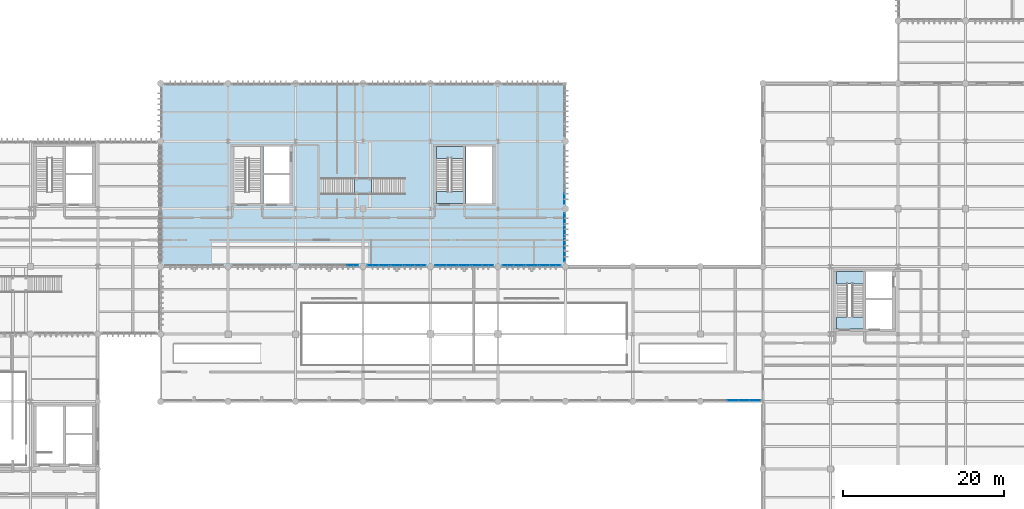
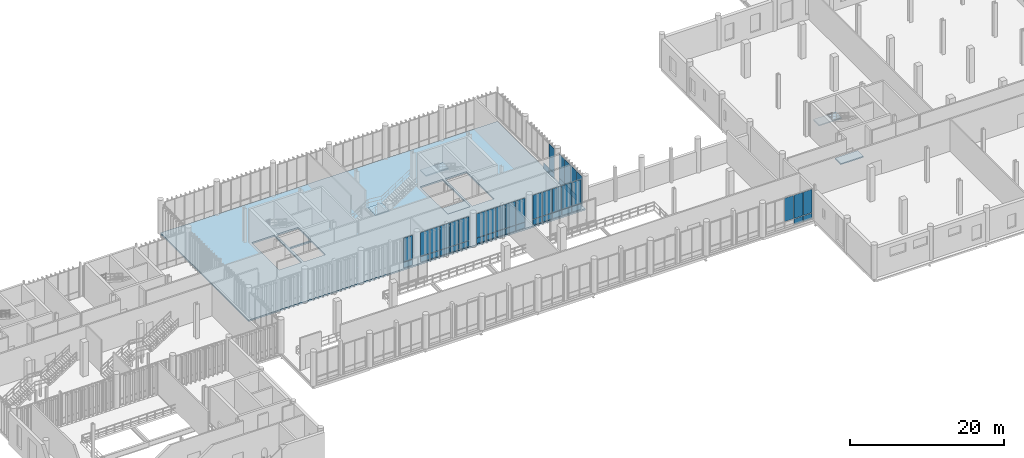
# One storey, part 99 of 128: 48 plates, 6 slabs, 10 elements without a shape of their own.
"""IFC4 building model written with IfcOpenShell, lengths in metres."""

import ifcopenshell
import ifcopenshell.guid

model = None  # the IFC model being written
_history = None  # IfcOwnerHistory: only IFC2X3 demands one
_inside = {}  # id of a spatial element -> (the spatial element, [elements in it])
_under = {}  # id of a project, library or spatial element -> (it, [spatial elements below it])
_declared = {}  # id of a project -> (the project, [libraries it declares])
_typed = {}  # id of a type object -> (the type object, [elements of that type])
_made_of = {}  # id of a material, layer set ... -> (it, [elements and type objects made of it])


def new_model(schema):
    """Start an empty IFC model of exactly this schema.

    Asked for "IFC4X3", IfcOpenShell would pick the latest addendum, in which some entities
    have other attributes; the version numbers below select the first issue.
    IFC2X3 requires an IfcOwnerHistory on every rooted entity: one is made here for all.
    """
    global model, _history
    if schema == "IFC4X3":
        model = ifcopenshell.file(schema_version=(4, 3, 0, 0))
    else:
        model = ifcopenshell.file(schema=schema)
    _inside.clear()
    _under.clear()
    _declared.clear()
    _typed.clear()
    _made_of.clear()
    _history = None
    if model.schema == "IFC2X3":
        org = make("IfcOrganization", Name="unknown")
        user = make(
            "IfcPersonAndOrganization",
            ThePerson=make("IfcPerson", FamilyName="unknown"),
            TheOrganization=org,
        )
        app = make(
            "IfcApplication",
            ApplicationDeveloper=org,
            Version="unknown",
            ApplicationFullName="unknown",
            ApplicationIdentifier="unknown",
        )
        _history = make(
            "IfcOwnerHistory",
            OwningUser=user,
            OwningApplication=app,
            ChangeAction="ADDED",
            CreationDate=0,
        )
    return model


def make(cls, **values):
    """One entity of the class cls with the attributes given. An attribute that is None is left unset."""
    return model.create_entity(
        cls, **{name: value for name, value in values.items() if value is not None}
    )


def rooted(cls, **values):
    """An entity with a GlobalId (a new one), such as an element, a storey or a relation."""
    return make(cls, GlobalId=ifcopenshell.guid.new(), OwnerHistory=_history, **values)


def si_unit(unit_type, name, prefix=None):
    """IfcSIUnit, for example si_unit("LENGTHUNIT", "METRE", prefix="MILLI")."""
    return make("IfcSIUnit", UnitType=unit_type, Prefix=prefix, Name=name)


def assignment(units):
    """IfcUnitAssignment: the units of a project."""
    return None if units is None else make("IfcUnitAssignment", Units=units)


def point(xyz):
    """IfcCartesianPoint."""
    return None if xyz is None else make("IfcCartesianPoint", Coordinates=xyz)


def direction(xyz):
    """IfcDirection."""
    return None if xyz is None else make("IfcDirection", DirectionRatios=xyz)


def frame(location, z_axis=None, x_axis=None):
    """IfcAxis2Placement3D, a coordinate frame: its origin and axes. An axis left out is left unset."""
    return make(
        "IfcAxis2Placement3D",
        Location=point(location),
        Axis=direction(z_axis),
        RefDirection=direction(x_axis),
    )


def frame_2d(location, x_axis=None):
    """IfcAxis2Placement2D, a coordinate frame in the plane: its origin and x axis."""
    return make(
        "IfcAxis2Placement2D", Location=point(location), RefDirection=direction(x_axis)
    )


def origin_with_axes():
    """The frame at (0, 0, 0) with the z axis (0, 0, 1) and the x axis (1, 0, 0) written out."""
    return frame((0.0, 0.0, 0.0), z_axis=(0.0, 0.0, 1.0), x_axis=(1.0, 0.0, 0.0))


def place(relative_to, where):
    """IfcLocalPlacement: puts the frame where relative to a parent placement (None: the world)."""
    return make(
        "IfcLocalPlacement", PlacementRelTo=relative_to, RelativePlacement=where
    )


def context(
    kind, dimensions, precision=None, world=None, true_north=None, identifier=None
):
    """IfcGeometricRepresentationContext, for example the 3D "Model" context."""
    return make(
        "IfcGeometricRepresentationContext",
        ContextIdentifier=identifier,
        ContextType=kind,
        CoordinateSpaceDimension=dimensions,
        Precision=precision,
        WorldCoordinateSystem=world,
        TrueNorth=true_north,
    )


def subcontext(parent, identifier, kind, view, scale=None):
    """IfcGeometricRepresentationSubContext, for example "Body" below "Model"."""
    return make(
        "IfcGeometricRepresentationSubContext",
        ContextIdentifier=identifier,
        ContextType=kind,
        ParentContext=parent,
        TargetScale=scale,
        TargetView=view,
    )


def project(units=None, contexts=None):
    """IfcProject with its units and contexts."""
    return rooted(
        "IfcProject",
        Name="project",
        RepresentationContexts=contexts,
        UnitsInContext=assignment(units),
    )


def spatial(cls, under=None, at=None, **own):
    """A site, building, storey or space (cls), placed at a placement, below another one or the project."""
    s = rooted(cls, ObjectPlacement=at, **own)
    if under is not None:
        _under.setdefault(under.id(), (under, []))[1].append(s)
    return s


def polyline(points):
    """IfcPolyline through the points."""
    return make("IfcPolyline", Points=[point(p) for p in points])


def profile(cls, at=None, kind="AREA", **sizes):
    """A parametric profile (cls). Its sizes go by their IFC names, for example OverallWidth=200.0."""
    return make(cls, ProfileType=kind, Position=at, **sizes)


def rectangle(**sizes):
    """IfcRectangleProfileDef."""
    return profile("IfcRectangleProfileDef", **sizes)


def outline(outer, holes=None, kind="AREA"):
    """IfcArbitraryClosedProfileDef: a profile drawn as a closed curve; with holes, ...WithVoids."""
    if holes is None:
        return make("IfcArbitraryClosedProfileDef", ProfileType=kind, OuterCurve=outer)
    return make(
        "IfcArbitraryProfileDefWithVoids",
        ProfileType=kind,
        OuterCurve=outer,
        InnerCurves=holes,
    )


def extrude(swept, where, along, depth):
    """IfcExtrudedAreaSolid: the profile swept, set in the frame where, extruded along a direction by depth."""
    return make(
        "IfcExtrudedAreaSolid",
        SweptArea=swept,
        Position=where,
        ExtrudedDirection=direction(along),
        Depth=depth,
    )


def shape(context_of_items, identifier, shape_type, items):
    """IfcShapeRepresentation: the items that make up one representation, for example the "Body"."""
    return make(
        "IfcShapeRepresentation",
        ContextOfItems=context_of_items,
        RepresentationIdentifier=identifier,
        RepresentationType=shape_type,
        Items=items,
    )


def material(Name=None, Category=None):
    """IfcMaterial."""
    return make("IfcMaterial", Name=Name, Category=Category)


def layer(
    of_material, thickness, ventilated=None, Name=None, Category=None, Priority=None
):
    """IfcMaterialLayer: one layer of a wall or slab, of a material (None: an air gap)."""
    return make(
        "IfcMaterialLayer",
        Material=of_material,
        LayerThickness=thickness,
        IsVentilated=ventilated,
        Name=Name,
        Category=Category,
        Priority=Priority,
    )


def layer_set(layers, Name=None):
    """IfcMaterialLayerSet."""
    return make("IfcMaterialLayerSet", MaterialLayers=layers, LayerSetName=Name)


def made_of(thing, what):
    """Note that an element or type object is made of a material, layer set ...; save() writes the relation."""
    if what is not None:
        _made_of.setdefault(what.id(), (what, []))[1].append(thing)
    return thing


def type_object(cls, material=None, **own):
    """A type object (cls), such as IfcWallType, which elements share."""
    return made_of(rooted(cls, **own), material)


def element(
    cls,
    number,
    at=None,
    inside=None,
    cuts=None,
    type_object=None,
    material=None,
    context=None,
    identifier="Body",
    shape_type=None,
    held_by="IfcProductDefinitionShape",
    body=None,
    shapes=None,
    **own,
):
    """One element of the class cls, such as IfcWall. Its Tag is "e" and its number.

    at: its placement. inside: the storey or other place that contains it. cuts: it is an
    opening in that element (IfcRelVoidsElement). A single representation is given by context,
    identifier, shape_type and body (its items); several are given by shapes. held_by: the class
    of the entity that holds the representations. save() writes the other relations.
    """
    e = rooted(cls, Tag="e%d" % number, ObjectPlacement=at, **own)
    if body is not None:
        shapes = [shape(context, identifier, shape_type, body)]
    if shapes is not None:
        e.Representation = make(held_by, Representations=shapes)
    if inside is not None:
        _inside.setdefault(inside.id(), (inside, []))[1].append(e)
    if cuts is not None:
        rooted(
            "IfcRelVoidsElement", RelatingBuildingElement=cuts, RelatedOpeningElement=e
        )
    if type_object is not None:
        _typed.setdefault(type_object.id(), (type_object, []))[1].append(e)
    return made_of(e, material)


def aggregate(whole, parts):
    """IfcRelAggregates: a whole, such as a stair, and the parts it consists of."""
    return rooted("IfcRelAggregates", RelatingObject=whole, RelatedObjects=parts)


def save(model, path):
    """Write the relations noted so far, then the file.

    IfcRelAggregates (storeys below a building ...), IfcRelContainedInSpatialStructure (elements
    in a storey), IfcRelDefinesByType, IfcRelAssociatesMaterial and IfcRelDeclares: one each for
    every whole, place, type object, material and project.
    """
    for whole, parts in _under.values():
        aggregate(whole, parts)
    for where, things in _inside.values():
        rooted(
            "IfcRelContainedInSpatialStructure",
            RelatedElements=things,
            RelatingStructure=where,
        )
    for kind, things in _typed.values():
        rooted("IfcRelDefinesByType", RelatedObjects=things, RelatingType=kind)
    for what, things in _made_of.values():
        rooted("IfcRelAssociatesMaterial", RelatedObjects=things, RelatingMaterial=what)
    for by, libraries in _declared.values():
        rooted("IfcRelDeclares", RelatingContext=by, RelatedDefinitions=libraries)
    model.write(path)


model = new_model("IFC4")

# Units and contexts
model_context = context("Model", 3, precision=1e-05, world=origin_with_axes(), true_north=direction((0.0, 1.0)))
body_context = subcontext(model_context, "Body", "Model", "MODEL_VIEW")
ifc_project = project(units=[si_unit("LENGTHUNIT", "METRE"), si_unit("AREAUNIT", "SQUARE_METRE"), si_unit("VOLUMEUNIT", "CUBIC_METRE"), si_unit("PLANEANGLEUNIT", "RADIAN"), si_unit("MASSUNIT", "GRAM", prefix="KILO"), si_unit("THERMODYNAMICTEMPERATUREUNIT", "KELVIN")], contexts=[model_context])

# Site, building, storey
site_placement = place(None, origin_with_axes())
site = spatial("IfcSite", under=ifc_project, at=site_placement, CompositionType="ELEMENT")
building_placement = place(site_placement, origin_with_axes())
building = spatial("IfcBuilding", under=site, at=building_placement, Name="Montbau Bow Law Courts", CompositionType="ELEMENT")
storey_placement = place(building_placement, frame((0.0, 0.0, 5.4), z_axis=(0.0, 0.0, 1.0), x_axis=(1.0, 0.0, 0.0)))
storey = spatial("IfcBuildingStorey", under=building, at=storey_placement, Name="L01", CompositionType="ELEMENT", Elevation=5.4)

# Curtain wall, plate
ifc_material_1 = material(Name="Thermally Broken Extruded Aluminium AA 6063-T6", Category="aluminium")
curtain_wall_type_1 = type_object("IfcCurtainWallType", Name="CW-CRM-01", PredefinedType="NOTDEFINED", material=ifc_material_1)
curtain_wall_1_placement = place(None, frame((64.115, 39.14, 5.4), z_axis=(0.0, 0.0, 1.0), x_axis=(1.0, 0.0, 0.0)))
curtain_wall_1 = element("IfcCurtainWall", 1, at=curtain_wall_1_placement, inside=storey, type_object=curtain_wall_type_1, Name="CW-L01-141:cw_0141", PredefinedType="NOTDEFINED")
ifc_material_2 = material(Name="Triple-Glazed Low-E Argon Insulating Glass Unit", Category="glass")
ifc_layer_1 = layer(ifc_material_2, 0.044, Name="Curtain Panel", Category="glass")
ifc_layer_set_1 = layer_set([ifc_layer_1], Name="Triple-Glazed Low-E Argon Insulating Glass Unit")
plate_type_1 = type_object("IfcPlateType", Name="PL-CWP-01", PredefinedType="CURTAIN_PANEL", material=ifc_layer_set_1)
plate_1_placement = place(None, frame((70.05, 39.14, 6.379), z_axis=(0.0, -1.0, 0.0), x_axis=(1.0, 0.0, 0.0)))
plate_1 = element("IfcPlate", 2, at=plate_1_placement, type_object=plate_type_1, Name="CW-L01-141-P05-2:cw_0141_P05_2", PredefinedType="CURTAIN_PANEL", context=body_context, shape_type="SweptSolid", body=[
    extrude(rectangle(XDim=1.359, YDim=3.784, at=frame_2d((0.6795, 1.892), x_axis=(1.0, 0.0))), frame((0.0, 0.0, -0.022), z_axis=(0.0, 0.0, 1.0), x_axis=(1.0, 0.0, 0.0)), (0.0, 0.0, 1.0), 0.044),
])

# Curtain wall, plates
curtain_wall_2_placement = place(None, frame((72.515, 39.14, 5.4), z_axis=(0.0, 0.0, 1.0), x_axis=(1.0, 0.0, 0.0)))
curtain_wall_2 = element("IfcCurtainWall", 3, at=curtain_wall_2_placement, inside=storey, type_object=curtain_wall_type_1, Name="CW-L01-142:cw_0142", PredefinedType="NOTDEFINED")
plate_2_placement = place(None, frame((72.583, 39.14, 6.382), z_axis=(0.0, -1.0, 0.0), x_axis=(1.0, 0.0, 0.0)))
plate_2 = element("IfcPlate", 4, at=plate_2_placement, type_object=plate_type_1, Name="CW-L01-142-P01-2:cw_0142_P01_2", PredefinedType="CURTAIN_PANEL", context=body_context, shape_type="SweptSolid", body=[
    extrude(rectangle(XDim=1.372, YDim=3.776, at=frame_2d((0.686, 1.888), x_axis=(1.0, 0.0))), frame((0.0, 0.0, -0.022), z_axis=(0.0, 0.0, 1.0), x_axis=(1.0, 0.0, 0.0)), (0.0, 0.0, 1.0), 0.044),
])
plate_3_placement = place(None, frame((74.023, 39.14, 6.382), z_axis=(0.0, -1.0, 0.0), x_axis=(1.0, 0.0, 0.0)))
plate_3 = element("IfcPlate", 5, at=plate_3_placement, type_object=plate_type_1, Name="CW-L01-142-P02-2:cw_0142_P02_2", PredefinedType="CURTAIN_PANEL", context=body_context, shape_type="SweptSolid", body=[
    extrude(rectangle(XDim=1.405, YDim=3.776, at=frame_2d((0.7025, 1.888), x_axis=(1.0, 0.0))), frame((0.0, 0.0, -0.022), z_axis=(0.0, 0.0, 1.0), x_axis=(1.0, 0.0, 0.0)), (0.0, 0.0, 1.0), 0.044),
])
plate_4_placement = place(None, frame((75.497, 39.14, 6.382), z_axis=(0.0, -1.0, 0.0), x_axis=(1.0, 0.0, 0.0)))
plate_4 = element("IfcPlate", 6, at=plate_4_placement, type_object=plate_type_1, Name="CW-L01-142-P03-2:cw_0142_P03_2", PredefinedType="CURTAIN_PANEL", context=body_context, shape_type="SweptSolid", body=[
    extrude(rectangle(XDim=1.406, YDim=3.776, at=frame_2d((0.703, 1.888), x_axis=(1.0, 0.0))), frame((0.0, 0.0, -0.022), z_axis=(0.0, 0.0, 1.0), x_axis=(1.0, 0.0, 0.0)), (0.0, 0.0, 1.0), 0.044),
])
plate_5_placement = place(None, frame((76.971, 39.14, 6.382), z_axis=(0.0, -1.0, 0.0), x_axis=(1.0, 0.0, 0.0)))
plate_5 = element("IfcPlate", 7, at=plate_5_placement, type_object=plate_type_1, Name="CW-L01-142-P04-2:cw_0142_P04_2", PredefinedType="CURTAIN_PANEL", context=body_context, shape_type="SweptSolid", body=[
    extrude(rectangle(XDim=1.406, YDim=3.776, at=frame_2d((0.703, 1.888), x_axis=(1.0, 0.0))), frame((0.0, 0.0, -0.022), z_axis=(0.0, 0.0, 1.0), x_axis=(1.0, 0.0, 0.0)), (0.0, 0.0, 1.0), 0.044),
])
plate_6_placement = place(None, frame((78.445, 39.14, 6.382), z_axis=(0.0, -1.0, 0.0), x_axis=(1.0, 0.0, 0.0)))
plate_6 = element("IfcPlate", 8, at=plate_6_placement, type_object=plate_type_1, Name="CW-L01-142-P05-2:cw_0142_P05_2", PredefinedType="CURTAIN_PANEL", context=body_context, shape_type="SweptSolid", body=[
    extrude(rectangle(XDim=1.374, YDim=3.776, at=frame_2d((0.687, 1.888), x_axis=(1.0, 0.0))), frame((0.0, 0.0, -0.022), z_axis=(0.0, 0.0, 1.0), x_axis=(1.0, 0.0, 0.0)), (0.0, 0.0, 1.0), 0.044),
])

curtain_wall_3_placement = place(None, frame((80.915, 39.14, 5.4), z_axis=(0.0, 0.0, 1.0), x_axis=(1.0, 0.0, 0.0)))
curtain_wall_3 = element("IfcCurtainWall", 9, at=curtain_wall_3_placement, inside=storey, type_object=curtain_wall_type_1, Name="CW-L01-143:cw_0143", PredefinedType="NOTDEFINED")
plate_7_placement = place(None, frame((80.977, 39.14, 6.379), z_axis=(0.0, -1.0, 0.0), x_axis=(1.0, 0.0, 0.0)))
plate_7 = element("IfcPlate", 10, at=plate_7_placement, type_object=plate_type_1, Name="CW-L01-143-P01-2:cw_0143_P01_2", PredefinedType="CURTAIN_PANEL", context=body_context, shape_type="SweptSolid", body=[
    extrude(rectangle(XDim=1.38, YDim=3.784, at=frame_2d((0.69, 1.892), x_axis=(1.0, 0.0))), frame((0.0, 0.0, -0.022), z_axis=(0.0, 0.0, 1.0), x_axis=(1.0, 0.0, 0.0)), (0.0, 0.0, 1.0), 0.044),
])
plate_8_placement = place(None, frame((82.421, 39.14, 6.379), z_axis=(0.0, -1.0, 0.0), x_axis=(1.0, 0.0, 0.0)))
plate_8 = element("IfcPlate", 11, at=plate_8_placement, type_object=plate_type_1, Name="CW-L01-143-P02-2:cw_0143_P02_2", PredefinedType="CURTAIN_PANEL", context=body_context, shape_type="SweptSolid", body=[
    extrude(rectangle(XDim=1.41, YDim=3.784, at=frame_2d((0.705, 1.892), x_axis=(1.0, 0.0))), frame((0.0, 0.0, -0.022), z_axis=(0.0, 0.0, 1.0), x_axis=(1.0, 0.0, 0.0)), (0.0, 0.0, 1.0), 0.044),
])
plate_9_placement = place(None, frame((83.895, 39.14, 6.379), z_axis=(0.0, -1.0, 0.0), x_axis=(1.0, 0.0, 0.0)))
plate_9 = element("IfcPlate", 12, at=plate_9_placement, type_object=plate_type_1, Name="CW-L01-143-P03-2:cw_0143_P03_2", PredefinedType="CURTAIN_PANEL", context=body_context, shape_type="SweptSolid", body=[
    extrude(rectangle(XDim=1.41, YDim=3.784, at=frame_2d((0.705, 1.892), x_axis=(1.0, 0.0))), frame((0.0, 0.0, -0.022), z_axis=(0.0, 0.0, 1.0), x_axis=(1.0, 0.0, 0.0)), (0.0, 0.0, 1.0), 0.044),
])
plate_10_placement = place(None, frame((85.369, 39.14, 6.379), z_axis=(0.0, -1.0, 0.0), x_axis=(1.0, 0.0, 0.0)))
plate_10 = element("IfcPlate", 13, at=plate_10_placement, type_object=plate_type_1, Name="CW-L01-143-P04-2:cw_0143_P04_2", PredefinedType="CURTAIN_PANEL", context=body_context, shape_type="SweptSolid", body=[
    extrude(rectangle(XDim=1.41, YDim=3.784, at=frame_2d((0.705, 1.892), x_axis=(1.0, 0.0))), frame((0.0, 0.0, -0.022), z_axis=(0.0, 0.0, 1.0), x_axis=(1.0, 0.0, 0.0)), (0.0, 0.0, 1.0), 0.044),
])
plate_11_placement = place(None, frame((86.843, 39.14, 6.379), z_axis=(0.0, -1.0, 0.0), x_axis=(1.0, 0.0, 0.0)))
plate_11 = element("IfcPlate", 14, at=plate_11_placement, type_object=plate_type_1, Name="CW-L01-143-P05-2:cw_0143_P05_2", PredefinedType="CURTAIN_PANEL", context=body_context, shape_type="SweptSolid", body=[
    extrude(rectangle(XDim=1.38, YDim=3.784, at=frame_2d((0.69, 1.892), x_axis=(1.0, 0.0))), frame((0.0, 0.0, -0.022), z_axis=(0.0, 0.0, 1.0), x_axis=(1.0, 0.0, 0.0)), (0.0, 0.0, 1.0), 0.044),
])

curtain_wall_4_placement = place(None, frame((89.315, 39.14, 5.4), z_axis=(0.0, 0.0, 1.0), x_axis=(1.0, 0.0, 0.0)))
curtain_wall_4 = element("IfcCurtainWall", 15, at=curtain_wall_4_placement, inside=storey, type_object=curtain_wall_type_1, Name="CW-L01-144:cw_0144", PredefinedType="NOTDEFINED")
plate_12_placement = place(None, frame((89.391, 39.14, 6.382), z_axis=(0.0, -1.0, 0.0), x_axis=(1.0, 0.0, 0.0)))
plate_12 = element("IfcPlate", 16, at=plate_12_placement, type_object=plate_type_1, Name="CW-L01-144-P01-2:cw_0144_P01_2", PredefinedType="CURTAIN_PANEL", context=body_context, shape_type="SweptSolid", body=[
    extrude(rectangle(XDim=1.358, YDim=3.776, at=frame_2d((0.679, 1.888), x_axis=(1.0, 0.0))), frame((0.0, 0.0, -0.022), z_axis=(0.0, 0.0, 1.0), x_axis=(1.0, 0.0, 0.0)), (0.0, 0.0, 1.0), 0.044),
])
plate_13_placement = place(None, frame((90.829, 39.14, 6.382), z_axis=(0.0, -1.0, 0.0), x_axis=(1.0, 0.0, 0.0)))
plate_13 = element("IfcPlate", 17, at=plate_13_placement, type_object=plate_type_1, Name="CW-L01-144-P02-2:cw_0144_P02_2", PredefinedType="CURTAIN_PANEL", context=body_context, shape_type="SweptSolid", body=[
    extrude(rectangle(XDim=1.395, YDim=3.776, at=frame_2d((0.6975, 1.888), x_axis=(1.0, 0.0))), frame((0.0, 0.0, -0.022), z_axis=(0.0, 0.0, 1.0), x_axis=(1.0, 0.0, 0.0)), (0.0, 0.0, 1.0), 0.044),
])
plate_14_placement = place(None, frame((92.302, 39.14, 6.382), z_axis=(0.0, -1.0, 0.0), x_axis=(1.0, 0.0, 0.0)))
plate_14 = element("IfcPlate", 18, at=plate_14_placement, type_object=plate_type_1, Name="CW-L01-144-P03-2:cw_0144_P03_2", PredefinedType="CURTAIN_PANEL", context=body_context, shape_type="SweptSolid", body=[
    extrude(rectangle(XDim=1.396, YDim=3.776, at=frame_2d((0.698, 1.888), x_axis=(1.0, 0.0))), frame((0.0, 0.0, -0.022), z_axis=(0.0, 0.0, 1.0), x_axis=(1.0, 0.0, 0.0)), (0.0, 0.0, 1.0), 0.044),
])
plate_15_placement = place(None, frame((93.776, 39.14, 6.382), z_axis=(0.0, -1.0, 0.0), x_axis=(1.0, 0.0, 0.0)))
plate_15 = element("IfcPlate", 19, at=plate_15_placement, type_object=plate_type_1, Name="CW-L01-144-P04-2:cw_0144_P04_2", PredefinedType="CURTAIN_PANEL", context=body_context, shape_type="SweptSolid", body=[
    extrude(rectangle(XDim=1.396, YDim=3.776, at=frame_2d((0.698, 1.888), x_axis=(1.0, 0.0))), frame((0.0, 0.0, -0.022), z_axis=(0.0, 0.0, 1.0), x_axis=(1.0, 0.0, 0.0)), (0.0, 0.0, 1.0), 0.044),
])
plate_16_placement = place(None, frame((95.25, 39.14, 6.382), z_axis=(0.0, -1.0, 0.0), x_axis=(1.0, 0.0, 0.0)))
plate_16 = element("IfcPlate", 20, at=plate_16_placement, type_object=plate_type_1, Name="CW-L01-144-P05-2:cw_0144_P05_2", PredefinedType="CURTAIN_PANEL", context=body_context, shape_type="SweptSolid", body=[
    extrude(rectangle(XDim=1.359, YDim=3.776, at=frame_2d((0.6795, 1.888), x_axis=(1.0, 0.0))), frame((0.0, 0.0, -0.022), z_axis=(0.0, 0.0, 1.0), x_axis=(1.0, 0.0, 0.0)), (0.0, 0.0, 1.0), 0.044),
])

curtain_wall_5_placement = place(None, frame((97.06, 39.515, 5.4), z_axis=(0.0, 0.0, 1.0), x_axis=(1.0, 0.0, 0.0)))
curtain_wall_5 = element("IfcCurtainWall", 21, at=curtain_wall_5_placement, inside=storey, type_object=curtain_wall_type_1, Name="CW-L01-154:cw_0154", PredefinedType="NOTDEFINED")
plate_17_placement = place(None, frame((97.06, 39.583, 6.382), z_axis=(1.0, 0.0, 0.0), x_axis=(0.0, 1.0, 0.0)))
plate_17 = element("IfcPlate", 22, at=plate_17_placement, type_object=plate_type_1, Name="CW-L01-154-P01-2:cw_0154_P01_2", PredefinedType="CURTAIN_PANEL", context=body_context, shape_type="SweptSolid", body=[
    extrude(rectangle(XDim=1.44, YDim=3.776, at=frame_2d((0.72, 1.888), x_axis=(1.0, 0.0))), frame((0.0, 0.0, -0.022), z_axis=(0.0, 0.0, 1.0), x_axis=(1.0, 0.0, 0.0)), (0.0, 0.0, 1.0), 0.044),
])
plate_18_placement = place(None, frame((97.06, 41.092, 6.382), z_axis=(1.0, 0.0, 0.0), x_axis=(0.0, 1.0, 0.0)))
plate_18 = element("IfcPlate", 23, at=plate_18_placement, type_object=plate_type_1, Name="CW-L01-154-P02-2:cw_0154_P02_2", PredefinedType="CURTAIN_PANEL", context=body_context, shape_type="SweptSolid", body=[
    extrude(rectangle(XDim=1.473, YDim=3.776, at=frame_2d((0.7365, 1.888), x_axis=(1.0, 0.0))), frame((0.0, 0.0, -0.022), z_axis=(0.0, 0.0, 1.0), x_axis=(1.0, 0.0, 0.0)), (0.0, 0.0, 1.0), 0.044),
])
plate_19_placement = place(None, frame((97.06, 42.634, 6.382), z_axis=(1.0, 0.0, 0.0), x_axis=(0.0, 1.0, 0.0)))
plate_19 = element("IfcPlate", 24, at=plate_19_placement, type_object=plate_type_1, Name="CW-L01-154-P03-2:cw_0154_P03_2", PredefinedType="CURTAIN_PANEL", context=body_context, shape_type="SweptSolid", body=[
    extrude(rectangle(XDim=1.475, YDim=3.776, at=frame_2d((0.7375, 1.888), x_axis=(1.0, 0.0))), frame((0.0, 0.0, -0.022), z_axis=(0.0, 0.0, 1.0), x_axis=(1.0, 0.0, 0.0)), (0.0, 0.0, 1.0), 0.044),
])
plate_20_placement = place(None, frame((97.06, 44.177, 6.382), z_axis=(1.0, 0.0, 0.0), x_axis=(0.0, 1.0, 0.0)))
plate_20 = element("IfcPlate", 25, at=plate_20_placement, type_object=plate_type_1, Name="CW-L01-154-P04-2:cw_0154_P04_2", PredefinedType="CURTAIN_PANEL", context=body_context, shape_type="SweptSolid", body=[
    extrude(rectangle(XDim=1.442, YDim=3.776, at=frame_2d((0.721, 1.888), x_axis=(1.0, 0.0))), frame((0.0, 0.0, -0.022), z_axis=(0.0, 0.0, 1.0), x_axis=(1.0, 0.0, 0.0)), (0.0, 0.0, 1.0), 0.044),
])

# Curtain wall, plate
curtain_wall_6_placement = place(None, frame((97.06, 46.715, 5.4), z_axis=(0.0, 0.0, 1.0), x_axis=(1.0, 0.0, 0.0)))
curtain_wall_6 = element("IfcCurtainWall", 26, at=curtain_wall_6_placement, inside=storey, type_object=curtain_wall_type_1, Name="CW-L01-155:cw_0155", PredefinedType="NOTDEFINED")
plate_21_placement = place(None, frame((97.06, 46.777, 6.379), z_axis=(1.0, 0.0, 0.0), x_axis=(0.0, 1.0, 0.0)))
plate_21 = element("IfcPlate", 27, at=plate_21_placement, type_object=plate_type_1, Name="CW-L01-155-P01-2:cw_0155_P01_2", PredefinedType="CURTAIN_PANEL", context=body_context, shape_type="SweptSolid", body=[
    extrude(rectangle(XDim=1.38, YDim=3.784, at=frame_2d((0.69, 1.892), x_axis=(1.0, 0.0))), frame((0.0, 0.0, -0.022), z_axis=(0.0, 0.0, 1.0), x_axis=(1.0, 0.0, 0.0)), (0.0, 0.0, 1.0), 0.044),
])

# Plate
ifc_material_3 = material(Name="Insulated Ceramic-Frit Spandrel Glazing Unit", Category="glass")
ifc_layer_2 = layer(ifc_material_3, 0.056, Name="Curtain Panel", Category="glass")
ifc_layer_set_2 = layer_set([ifc_layer_2], Name="Insulated Ceramic-Frit Spandrel Glazing Unit")
plate_type_2 = type_object("IfcPlateType", Name="PL-CWP-02", PredefinedType="CURTAIN_PANEL", material=ifc_layer_set_2)
plate_22_placement = place(None, frame((70.05, 39.14, 5.457), z_axis=(0.0, -1.0, 0.0), x_axis=(1.0, 0.0, 0.0)))
plate_22 = element("IfcPlate", 28, at=plate_22_placement, type_object=plate_type_2, Name="CW-L01-141-P05-1:cw_0141_P05_1", PredefinedType="CURTAIN_PANEL", context=body_context, shape_type="SweptSolid", body=[
    extrude(rectangle(XDim=1.359, YDim=0.864, at=frame_2d((0.6795, 0.432), x_axis=(1.0, 0.0))), frame((0.0, 0.0, -0.028), z_axis=(0.0, 0.0, 1.0), x_axis=(1.0, 0.0, 0.0)), (0.0, 0.0, 1.0), 0.056),
])

aggregate(curtain_wall_1, [plate_22, plate_1])

plate_23_placement = place(None, frame((72.583, 39.14, 5.462), z_axis=(0.0, -1.0, 0.0), x_axis=(1.0, 0.0, 0.0)))
plate_23 = element("IfcPlate", 29, at=plate_23_placement, type_object=plate_type_2, Name="CW-L01-142-P01-1:cw_0142_P01_1", PredefinedType="CURTAIN_PANEL", context=body_context, shape_type="SweptSolid", body=[
    extrude(rectangle(XDim=1.372, YDim=0.856, at=frame_2d((0.686, 0.428), x_axis=(1.0, 0.0))), frame((0.0, 0.0, -0.028), z_axis=(0.0, 0.0, 1.0), x_axis=(1.0, 0.0, 0.0)), (0.0, 0.0, 1.0), 0.056),
])

plate_24_placement = place(None, frame((74.023, 39.14, 5.462), z_axis=(0.0, -1.0, 0.0), x_axis=(1.0, 0.0, 0.0)))
plate_24 = element("IfcPlate", 30, at=plate_24_placement, type_object=plate_type_2, Name="CW-L01-142-P02-1:cw_0142_P02_1", PredefinedType="CURTAIN_PANEL", context=body_context, shape_type="SweptSolid", body=[
    extrude(rectangle(XDim=1.405, YDim=0.856, at=frame_2d((0.7025, 0.428), x_axis=(1.0, 0.0))), frame((0.0, 0.0, -0.028), z_axis=(0.0, 0.0, 1.0), x_axis=(1.0, 0.0, 0.0)), (0.0, 0.0, 1.0), 0.056),
])

plate_25_placement = place(None, frame((75.497, 39.14, 5.462), z_axis=(0.0, -1.0, 0.0), x_axis=(1.0, 0.0, 0.0)))
plate_25 = element("IfcPlate", 31, at=plate_25_placement, type_object=plate_type_2, Name="CW-L01-142-P03-1:cw_0142_P03_1", PredefinedType="CURTAIN_PANEL", context=body_context, shape_type="SweptSolid", body=[
    extrude(rectangle(XDim=1.406, YDim=0.856, at=frame_2d((0.703, 0.428), x_axis=(1.0, 0.0))), frame((0.0, 0.0, -0.028), z_axis=(0.0, 0.0, 1.0), x_axis=(1.0, 0.0, 0.0)), (0.0, 0.0, 1.0), 0.056),
])

plate_26_placement = place(None, frame((76.971, 39.14, 5.462), z_axis=(0.0, -1.0, 0.0), x_axis=(1.0, 0.0, 0.0)))
plate_26 = element("IfcPlate", 32, at=plate_26_placement, type_object=plate_type_2, Name="CW-L01-142-P04-1:cw_0142_P04_1", PredefinedType="CURTAIN_PANEL", context=body_context, shape_type="SweptSolid", body=[
    extrude(rectangle(XDim=1.406, YDim=0.856, at=frame_2d((0.703, 0.428), x_axis=(1.0, 0.0))), frame((0.0, 0.0, -0.028), z_axis=(0.0, 0.0, 1.0), x_axis=(1.0, 0.0, 0.0)), (0.0, 0.0, 1.0), 0.056),
])

plate_27_placement = place(None, frame((78.445, 39.14, 5.462), z_axis=(0.0, -1.0, 0.0), x_axis=(1.0, 0.0, 0.0)))
plate_27 = element("IfcPlate", 33, at=plate_27_placement, type_object=plate_type_2, Name="CW-L01-142-P05-1:cw_0142_P05_1", PredefinedType="CURTAIN_PANEL", context=body_context, shape_type="SweptSolid", body=[
    extrude(rectangle(XDim=1.374, YDim=0.856, at=frame_2d((0.687, 0.428), x_axis=(1.0, 0.0))), frame((0.0, 0.0, -0.028), z_axis=(0.0, 0.0, 1.0), x_axis=(1.0, 0.0, 0.0)), (0.0, 0.0, 1.0), 0.056),
])

aggregate(curtain_wall_2, [plate_23, plate_2, plate_24, plate_3, plate_25, plate_4, plate_26, plate_5, plate_27, plate_6])

plate_28_placement = place(None, frame((80.977, 39.14, 5.457), z_axis=(0.0, -1.0, 0.0), x_axis=(1.0, 0.0, 0.0)))
plate_28 = element("IfcPlate", 34, at=plate_28_placement, type_object=plate_type_2, Name="CW-L01-143-P01-1:cw_0143_P01_1", PredefinedType="CURTAIN_PANEL", context=body_context, shape_type="SweptSolid", body=[
    extrude(rectangle(XDim=1.38, YDim=0.864, at=frame_2d((0.69, 0.432), x_axis=(1.0, 0.0))), frame((0.0, 0.0, -0.028), z_axis=(0.0, 0.0, 1.0), x_axis=(1.0, 0.0, 0.0)), (0.0, 0.0, 1.0), 0.056),
])

plate_29_placement = place(None, frame((82.421, 39.14, 5.457), z_axis=(0.0, -1.0, 0.0), x_axis=(1.0, 0.0, 0.0)))
plate_29 = element("IfcPlate", 35, at=plate_29_placement, type_object=plate_type_2, Name="CW-L01-143-P02-1:cw_0143_P02_1", PredefinedType="CURTAIN_PANEL", context=body_context, shape_type="SweptSolid", body=[
    extrude(rectangle(XDim=1.41, YDim=0.864, at=frame_2d((0.705, 0.432), x_axis=(1.0, 0.0))), frame((0.0, 0.0, -0.028), z_axis=(0.0, 0.0, 1.0), x_axis=(1.0, 0.0, 0.0)), (0.0, 0.0, 1.0), 0.056),
])

plate_30_placement = place(None, frame((83.895, 39.14, 5.457), z_axis=(0.0, -1.0, 0.0), x_axis=(1.0, 0.0, 0.0)))
plate_30 = element("IfcPlate", 36, at=plate_30_placement, type_object=plate_type_2, Name="CW-L01-143-P03-1:cw_0143_P03_1", PredefinedType="CURTAIN_PANEL", context=body_context, shape_type="SweptSolid", body=[
    extrude(rectangle(XDim=1.41, YDim=0.864, at=frame_2d((0.705, 0.432), x_axis=(1.0, 0.0))), frame((0.0, 0.0, -0.028), z_axis=(0.0, 0.0, 1.0), x_axis=(1.0, 0.0, 0.0)), (0.0, 0.0, 1.0), 0.056),
])

plate_31_placement = place(None, frame((85.369, 39.14, 5.457), z_axis=(0.0, -1.0, 0.0), x_axis=(1.0, 0.0, 0.0)))
plate_31 = element("IfcPlate", 37, at=plate_31_placement, type_object=plate_type_2, Name="CW-L01-143-P04-1:cw_0143_P04_1", PredefinedType="CURTAIN_PANEL", context=body_context, shape_type="SweptSolid", body=[
    extrude(rectangle(XDim=1.41, YDim=0.864, at=frame_2d((0.705, 0.432), x_axis=(1.0, 0.0))), frame((0.0, 0.0, -0.028), z_axis=(0.0, 0.0, 1.0), x_axis=(1.0, 0.0, 0.0)), (0.0, 0.0, 1.0), 0.056),
])

plate_32_placement = place(None, frame((86.843, 39.14, 5.457), z_axis=(0.0, -1.0, 0.0), x_axis=(1.0, 0.0, 0.0)))
plate_32 = element("IfcPlate", 38, at=plate_32_placement, type_object=plate_type_2, Name="CW-L01-143-P05-1:cw_0143_P05_1", PredefinedType="CURTAIN_PANEL", context=body_context, shape_type="SweptSolid", body=[
    extrude(rectangle(XDim=1.38, YDim=0.864, at=frame_2d((0.69, 0.432), x_axis=(1.0, 0.0))), frame((0.0, 0.0, -0.028), z_axis=(0.0, 0.0, 1.0), x_axis=(1.0, 0.0, 0.0)), (0.0, 0.0, 1.0), 0.056),
])

aggregate(curtain_wall_3, [plate_28, plate_7, plate_29, plate_8, plate_30, plate_9, plate_31, plate_10, plate_32, plate_11])

plate_33_placement = place(None, frame((89.391, 39.14, 5.462), z_axis=(0.0, -1.0, 0.0), x_axis=(1.0, 0.0, 0.0)))
plate_33 = element("IfcPlate", 39, at=plate_33_placement, type_object=plate_type_2, Name="CW-L01-144-P01-1:cw_0144_P01_1", PredefinedType="CURTAIN_PANEL", context=body_context, shape_type="SweptSolid", body=[
    extrude(rectangle(XDim=1.358, YDim=0.856, at=frame_2d((0.679, 0.428), x_axis=(1.0, 0.0))), frame((0.0, 0.0, -0.028), z_axis=(0.0, 0.0, 1.0), x_axis=(1.0, 0.0, 0.0)), (0.0, 0.0, 1.0), 0.056),
])

plate_34_placement = place(None, frame((90.829, 39.14, 5.462), z_axis=(0.0, -1.0, 0.0), x_axis=(1.0, 0.0, 0.0)))
plate_34 = element("IfcPlate", 40, at=plate_34_placement, type_object=plate_type_2, Name="CW-L01-144-P02-1:cw_0144_P02_1", PredefinedType="CURTAIN_PANEL", context=body_context, shape_type="SweptSolid", body=[
    extrude(rectangle(XDim=1.395, YDim=0.856, at=frame_2d((0.6975, 0.428), x_axis=(1.0, 0.0))), frame((0.0, 0.0, -0.028), z_axis=(0.0, 0.0, 1.0), x_axis=(1.0, 0.0, 0.0)), (0.0, 0.0, 1.0), 0.056),
])

plate_35_placement = place(None, frame((92.302, 39.14, 5.462), z_axis=(0.0, -1.0, 0.0), x_axis=(1.0, 0.0, 0.0)))
plate_35 = element("IfcPlate", 41, at=plate_35_placement, type_object=plate_type_2, Name="CW-L01-144-P03-1:cw_0144_P03_1", PredefinedType="CURTAIN_PANEL", context=body_context, shape_type="SweptSolid", body=[
    extrude(rectangle(XDim=1.396, YDim=0.856, at=frame_2d((0.698, 0.428), x_axis=(1.0, 0.0))), frame((0.0, 0.0, -0.028), z_axis=(0.0, 0.0, 1.0), x_axis=(1.0, 0.0, 0.0)), (0.0, 0.0, 1.0), 0.056),
])

plate_36_placement = place(None, frame((93.776, 39.14, 5.462), z_axis=(0.0, -1.0, 0.0), x_axis=(1.0, 0.0, 0.0)))
plate_36 = element("IfcPlate", 42, at=plate_36_placement, type_object=plate_type_2, Name="CW-L01-144-P04-1:cw_0144_P04_1", PredefinedType="CURTAIN_PANEL", context=body_context, shape_type="SweptSolid", body=[
    extrude(rectangle(XDim=1.396, YDim=0.856, at=frame_2d((0.698, 0.428), x_axis=(1.0, 0.0))), frame((0.0, 0.0, -0.028), z_axis=(0.0, 0.0, 1.0), x_axis=(1.0, 0.0, 0.0)), (0.0, 0.0, 1.0), 0.056),
])

plate_37_placement = place(None, frame((95.25, 39.14, 5.462), z_axis=(0.0, -1.0, 0.0), x_axis=(1.0, 0.0, 0.0)))
plate_37 = element("IfcPlate", 43, at=plate_37_placement, type_object=plate_type_2, Name="CW-L01-144-P05-1:cw_0144_P05_1", PredefinedType="CURTAIN_PANEL", context=body_context, shape_type="SweptSolid", body=[
    extrude(rectangle(XDim=1.359, YDim=0.856, at=frame_2d((0.6795, 0.428), x_axis=(1.0, 0.0))), frame((0.0, 0.0, -0.028), z_axis=(0.0, 0.0, 1.0), x_axis=(1.0, 0.0, 0.0)), (0.0, 0.0, 1.0), 0.056),
])

aggregate(curtain_wall_4, [plate_33, plate_12, plate_34, plate_13, plate_35, plate_14, plate_36, plate_15, plate_37, plate_16])

plate_38_placement = place(None, frame((97.06, 39.583, 5.462), z_axis=(1.0, 0.0, 0.0), x_axis=(0.0, 1.0, 0.0)))
plate_38 = element("IfcPlate", 44, at=plate_38_placement, type_object=plate_type_2, Name="CW-L01-154-P01-1:cw_0154_P01_1", PredefinedType="CURTAIN_PANEL", context=body_context, shape_type="SweptSolid", body=[
    extrude(rectangle(XDim=1.44, YDim=0.856, at=frame_2d((0.72, 0.428), x_axis=(1.0, 0.0))), frame((0.0, 0.0, -0.028), z_axis=(0.0, 0.0, 1.0), x_axis=(1.0, 0.0, 0.0)), (0.0, 0.0, 1.0), 0.056),
])

plate_39_placement = place(None, frame((97.06, 41.092, 5.462), z_axis=(1.0, 0.0, 0.0), x_axis=(0.0, 1.0, 0.0)))
plate_39 = element("IfcPlate", 45, at=plate_39_placement, type_object=plate_type_2, Name="CW-L01-154-P02-1:cw_0154_P02_1", PredefinedType="CURTAIN_PANEL", context=body_context, shape_type="SweptSolid", body=[
    extrude(rectangle(XDim=1.473, YDim=0.856, at=frame_2d((0.7365, 0.428), x_axis=(1.0, 0.0))), frame((0.0, 0.0, -0.028), z_axis=(0.0, 0.0, 1.0), x_axis=(1.0, 0.0, 0.0)), (0.0, 0.0, 1.0), 0.056),
])

plate_40_placement = place(None, frame((97.06, 42.634, 5.462), z_axis=(1.0, 0.0, 0.0), x_axis=(0.0, 1.0, 0.0)))
plate_40 = element("IfcPlate", 46, at=plate_40_placement, type_object=plate_type_2, Name="CW-L01-154-P03-1:cw_0154_P03_1", PredefinedType="CURTAIN_PANEL", context=body_context, shape_type="SweptSolid", body=[
    extrude(rectangle(XDim=1.475, YDim=0.856, at=frame_2d((0.7375, 0.428), x_axis=(1.0, 0.0))), frame((0.0, 0.0, -0.028), z_axis=(0.0, 0.0, 1.0), x_axis=(1.0, 0.0, 0.0)), (0.0, 0.0, 1.0), 0.056),
])

plate_41_placement = place(None, frame((97.06, 44.177, 5.462), z_axis=(1.0, 0.0, 0.0), x_axis=(0.0, 1.0, 0.0)))
plate_41 = element("IfcPlate", 47, at=plate_41_placement, type_object=plate_type_2, Name="CW-L01-154-P04-1:cw_0154_P04_1", PredefinedType="CURTAIN_PANEL", context=body_context, shape_type="SweptSolid", body=[
    extrude(rectangle(XDim=1.442, YDim=0.856, at=frame_2d((0.721, 0.428), x_axis=(1.0, 0.0))), frame((0.0, 0.0, -0.028), z_axis=(0.0, 0.0, 1.0), x_axis=(1.0, 0.0, 0.0)), (0.0, 0.0, 1.0), 0.056),
])

aggregate(curtain_wall_5, [plate_38, plate_17, plate_39, plate_18, plate_40, plate_19, plate_41, plate_20])

plate_42_placement = place(None, frame((97.06, 46.777, 5.457), z_axis=(1.0, 0.0, 0.0), x_axis=(0.0, 1.0, 0.0)))
plate_42 = element("IfcPlate", 48, at=plate_42_placement, type_object=plate_type_2, Name="CW-L01-155-P01-1:cw_0155_P01_1", PredefinedType="CURTAIN_PANEL", context=body_context, shape_type="SweptSolid", body=[
    extrude(rectangle(XDim=1.38, YDim=0.864, at=frame_2d((0.69, 0.432), x_axis=(1.0, 0.0))), frame((0.0, 0.0, -0.028), z_axis=(0.0, 0.0, 1.0), x_axis=(1.0, 0.0, 0.0)), (0.0, 0.0, 1.0), 0.056),
])

plate_43_placement = place(None, frame((97.06, 48.221, 5.457), z_axis=(1.0, 0.0, 0.0), x_axis=(0.0, 1.0, 0.0)))
plate_43 = element("IfcPlate", 49, at=plate_43_placement, type_object=plate_type_2, Name="CW-L01-155-P02-1:cw_0155_P02_1", PredefinedType="CURTAIN_PANEL", context=body_context, shape_type="SweptSolid", body=[
    extrude(rectangle(XDim=1.41, YDim=0.864, at=frame_2d((0.705, 0.432), x_axis=(1.0, 0.0))), frame((0.0, 0.0, -0.028), z_axis=(0.0, 0.0, 1.0), x_axis=(1.0, 0.0, 0.0)), (0.0, 0.0, 1.0), 0.056),
])

aggregate(curtain_wall_6, [plate_42, plate_21, plate_43])

# Curtain wall, plates
curtain_wall_type_2 = type_object("IfcCurtainWallType", Name="CW-WGC-01", PredefinedType="NOTDEFINED", material=ifc_material_1)
curtain_wall_7_placement = place(None, frame((114.515, 22.34, 5.4), z_axis=(0.0, 0.0, 1.0), x_axis=(1.0, 0.0, 0.0)))
curtain_wall_7 = element("IfcCurtainWall", 50, at=curtain_wall_7_placement, inside=storey, type_object=curtain_wall_type_2, Name="CW-L01-412:cw_0412", PredefinedType="NOTDEFINED")
plate_44_placement = place(None, frame((118.759, 22.34, 5.462), z_axis=(0.0, -1.0, 0.0), x_axis=(1.0, 0.0, 0.0)))
plate_44 = element("IfcPlate", 51, at=plate_44_placement, type_object=plate_type_2, Name="CW-L01-412-P04-1:cw_0412_P04_1", PredefinedType="CURTAIN_PANEL", context=body_context, shape_type="SweptSolid", body=[
    extrude(rectangle(XDim=1.336, YDim=0.856, at=frame_2d((0.668, 0.428), x_axis=(1.0, 0.0))), frame((0.0, 0.0, -0.028), z_axis=(0.0, 0.0, 1.0), x_axis=(1.0, 0.0, 0.0)), (0.0, 0.0, 1.0), 0.056),
])
plate_45_placement = place(None, frame((120.163, 22.34, 5.462), z_axis=(0.0, -1.0, 0.0), x_axis=(1.0, 0.0, 0.0)))
plate_45 = element("IfcPlate", 52, at=plate_45_placement, type_object=plate_type_2, Name="CW-L01-412-P05-1:cw_0412_P05_1", PredefinedType="CURTAIN_PANEL", context=body_context, shape_type="SweptSolid", body=[
    extrude(rectangle(XDim=1.302, YDim=0.856, at=frame_2d((0.651, 0.428), x_axis=(1.0, 0.0))), frame((0.0, 0.0, -0.028), z_axis=(0.0, 0.0, 1.0), x_axis=(1.0, 0.0, 0.0)), (0.0, 0.0, 1.0), 0.056),
])
ifc_material_4 = material(Name="Triple-Glazed Winter-Garden Vision Unit", Category="glass")
ifc_layer_3 = layer(ifc_material_4, 0.036, Name="Curtain Panel", Category="glass")
ifc_layer_set_3 = layer_set([ifc_layer_3], Name="Triple-Glazed Winter-Garden Vision Unit")
plate_type_3 = type_object("IfcPlateType", Name="PL-CWP-03", PredefinedType="CURTAIN_PANEL", material=ifc_layer_set_3)
plate_46_placement = place(None, frame((117.356, 22.34, 6.382), z_axis=(0.0, -1.0, 0.0), x_axis=(1.0, 0.0, 0.0)))
plate_46 = element("IfcPlate", 53, at=plate_46_placement, type_object=plate_type_3, Name="CW-L01-412-P03-2:cw_0412_P03_2", PredefinedType="CURTAIN_PANEL", context=body_context, shape_type="SweptSolid", body=[
    extrude(rectangle(XDim=1.335, YDim=3.706, at=frame_2d((0.6675, 1.853), x_axis=(1.0, 0.0))), frame((0.0, 0.0, -0.018), z_axis=(0.0, 0.0, 1.0), x_axis=(1.0, 0.0, 0.0)), (0.0, 0.0, 1.0), 0.036),
])
plate_47_placement = place(None, frame((118.759, 22.34, 6.382), z_axis=(0.0, -1.0, 0.0), x_axis=(1.0, 0.0, 0.0)))
plate_47 = element("IfcPlate", 54, at=plate_47_placement, type_object=plate_type_3, Name="CW-L01-412-P04-2:cw_0412_P04_2", PredefinedType="CURTAIN_PANEL", context=body_context, shape_type="SweptSolid", body=[
    extrude(rectangle(XDim=1.336, YDim=3.706, at=frame_2d((0.668, 1.853), x_axis=(1.0, 0.0))), frame((0.0, 0.0, -0.018), z_axis=(0.0, 0.0, 1.0), x_axis=(1.0, 0.0, 0.0)), (0.0, 0.0, 1.0), 0.036),
])
plate_48_placement = place(None, frame((120.163, 22.34, 6.382), z_axis=(0.0, -1.0, 0.0), x_axis=(1.0, 0.0, 0.0)))
plate_48 = element("IfcPlate", 55, at=plate_48_placement, type_object=plate_type_3, Name="CW-L01-412-P05-2:cw_0412_P05_2", PredefinedType="CURTAIN_PANEL", context=body_context, shape_type="SweptSolid", body=[
    extrude(rectangle(XDim=1.302, YDim=3.706, at=frame_2d((0.651, 1.853), x_axis=(1.0, 0.0))), frame((0.0, 0.0, -0.018), z_axis=(0.0, 0.0, 1.0), x_axis=(1.0, 0.0, 0.0)), (0.0, 0.0, 1.0), 0.036),
])
aggregate(curtain_wall_7, [plate_46, plate_44, plate_47, plate_45, plate_48])

# Slab
ifc_material_5 = material(Name="Concrete CSA A23.1 f'c 40 MPa", Category="concrete")
ifc_layer_4 = layer(ifc_material_5, 0.24, Name="Floor Slab", Category="concrete")
ifc_layer_set_4 = layer_set([ifc_layer_4], Name="Concrete CSA A23.1 f'c 40 MPa")
slab_type_1 = type_object("IfcSlabType", Name="SL-FLR-03", PredefinedType="FLOOR", material=ifc_layer_set_4)
slab_1_placement = place(None, frame((0.0, 0.0, 5.16), z_axis=(0.0, 0.0, 1.0), x_axis=(1.0, 0.0, 0.0)))
element("IfcSlab", 56, at=slab_1_placement, inside=storey, type_object=slab_type_1, Name="SL-V3-L01:slb_0016", PredefinedType="FLOOR", context=body_context, shape_type="SweptSolid", body=[
    extrude(outline(polyline([(46.8, 39.0), (97.2, 39.0), (97.2, 61.8), (46.8, 61.8), (46.8, 39.0)]), holes=[polyline([(55.92, 46.858), (59.3, 46.858), (59.3, 53.96), (55.92, 53.96), (55.92, 46.858)]), polyline([(59.6, 46.84), (62.835, 46.84), (62.835, 50.422), (59.6, 50.422), (59.6, 46.84)]), polyline([(59.6, 50.662), (62.835, 50.662), (62.835, 53.96), (59.6, 53.96), (59.6, 50.662)]), polyline([(81.12, 46.858), (84.5, 46.858), (84.5, 53.96), (81.12, 53.96), (81.12, 46.858)]), polyline([(84.8, 46.84), (88.035, 46.84), (88.035, 53.96), (84.8, 53.96), (84.8, 46.84)])]), origin_with_axes(), (0.0, 0.0, 1.0), 0.24),
])

# Stair, slabs
stair_type_1 = type_object("IfcStairType", Name="ST-PUB-1800", PredefinedType="HALF_TURN_STAIR", material=ifc_material_5)
stair_1_placement = place(None, frame((81.89, 48.3, 5.4), z_axis=(0.0, 0.0, 1.0), x_axis=(1.0, 0.0, 0.0)))
stair_1 = element("IfcStair", 57, at=stair_1_placement, inside=storey, type_object=stair_type_1, Name="ST-P3-L01:str_0027", PredefinedType="HALF_TURN_STAIR")
ifc_layer_5 = layer(ifc_material_5, 0.18, Name="Landing", Category="concrete")
ifc_layer_set_5 = layer_set([ifc_layer_5], Name="Concrete CSA A23.1 f'c 40 MPa")
slab_type_2 = type_object("IfcSlabType", Name="SL-LND-01", PredefinedType="LANDING", material=ifc_layer_set_5)
slab_2_placement = place(None, frame((0.0, 0.0, 5.22), z_axis=(0.0, 0.0, 1.0), x_axis=(1.0, 0.0, 0.0)))
slab_2 = element("IfcSlab", 58, at=slab_2_placement, type_object=slab_type_2, Name="ST-P3-L01-LB:str_0027_LB", PredefinedType="LANDING", context=body_context, shape_type="SweptSolid", body=[
    extrude(outline(polyline([(81.12, 46.84), (84.5, 46.84), (84.5, 48.34), (81.12, 48.34), (81.12, 46.84)])), origin_with_axes(), (0.0, 0.0, 1.0), 0.18),
])
slab_3_placement = place(None, frame((0.0, 0.0, 7.92), z_axis=(0.0, 0.0, 1.0), x_axis=(1.0, 0.0, 0.0)))
slab_3 = element("IfcSlab", 59, at=slab_3_placement, type_object=slab_type_2, Name="ST-P3-L01-LM:str_0027_LM", PredefinedType="LANDING", context=body_context, shape_type="SweptSolid", body=[
    extrude(outline(polyline([(81.12, 52.46), (84.5, 52.46), (84.5, 53.96), (81.12, 53.96), (81.12, 52.46)])), origin_with_axes(), (0.0, 0.0, 1.0), 0.18),
])
aggregate(stair_1, [slab_2, slab_3])

stair_type_2 = type_object("IfcStairType", Name="ST-CUS-1500", PredefinedType="HALF_TURN_STAIR", material=ifc_material_5)
stair_2_placement = place(None, frame((131.65, 32.7, 5.4), z_axis=(0.0, 0.0, 1.0), x_axis=(1.0, 0.0, 0.0)))
stair_2 = element("IfcStair", 60, at=stair_2_placement, inside=storey, type_object=stair_type_2, Name="ST-C1-L01:str_0057", PredefinedType="HALF_TURN_STAIR")
slab_4_placement = place(None, frame((0.0, 0.0, 5.22), z_axis=(0.0, 0.0, 1.0), x_axis=(1.0, 0.0, 0.0)))
slab_4 = element("IfcSlab", 61, at=slab_4_placement, type_object=slab_type_2, Name="ST-C1-L01-LB:str_0057_LB", PredefinedType="LANDING", context=body_context, shape_type="SweptSolid", body=[
    extrude(outline(polyline([(130.92, 31.24), (134.3, 31.24), (134.3, 32.74), (130.92, 32.74), (130.92, 31.24)])), origin_with_axes(), (0.0, 0.0, 1.0), 0.18),
])
slab_5_placement = place(None, frame((0.0, 0.0, 7.92), z_axis=(0.0, 0.0, 1.0), x_axis=(1.0, 0.0, 0.0)))
slab_5 = element("IfcSlab", 62, at=slab_5_placement, type_object=slab_type_2, Name="ST-C1-L01-LM:str_0057_LM", PredefinedType="LANDING", context=body_context, shape_type="SweptSolid", body=[
    extrude(outline(polyline([(130.92, 36.86), (134.3, 36.86), (134.3, 38.36), (130.92, 38.36), (130.92, 36.86)])), origin_with_axes(), (0.0, 0.0, 1.0), 0.18),
])
aggregate(stair_2, [slab_4, slab_5])

# Stair, slab
ifc_material_6 = material(Name="Steel CSA G40.21 Grade 350W (350 MPa)", Category="steel")
stair_type_3 = type_object("IfcStairType", Name="ST-GRD-2200", PredefinedType="STRAIGHT_RUN_STAIR", material=ifc_material_6)
stair_3_placement = place(None, frame((66.8, 49.0, 5.4), z_axis=(0.0, 0.0, 1.0), x_axis=(1.0, 0.0, 0.0)))
stair_3 = element("IfcStair", 63, at=stair_3_placement, inside=storey, type_object=stair_type_3, Name="ST-TRL-02:str_0066", PredefinedType="STRAIGHT_RUN_STAIR")
slab_6_placement = place(None, frame((0.0, 0.0, 7.92), z_axis=(0.0, 0.0, 1.0), x_axis=(1.0, 0.0, 0.0)))
slab_6 = element("IfcSlab", 64, at=slab_6_placement, type_object=slab_type_2, Name="ST-TRL-02-LM:str_0066_LM", PredefinedType="LANDING", context=body_context, shape_type="SweptSolid", body=[
    extrude(outline(polyline([(70.96, 48.0), (73.09, 48.0), (73.09, 50.0), (70.96, 50.0), (70.96, 48.0)])), origin_with_axes(), (0.0, 0.0, 1.0), 0.18),
])
aggregate(stair_3, [slab_6])

save(model, "model.ifc")
